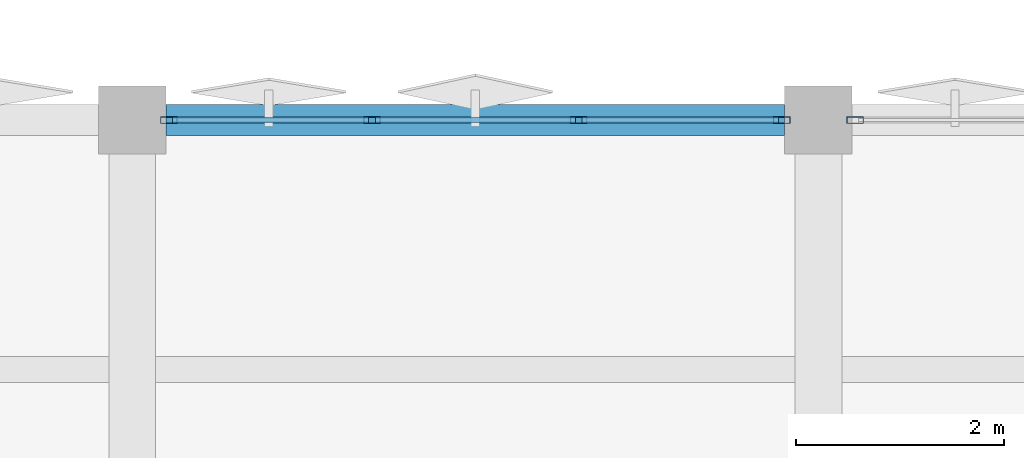
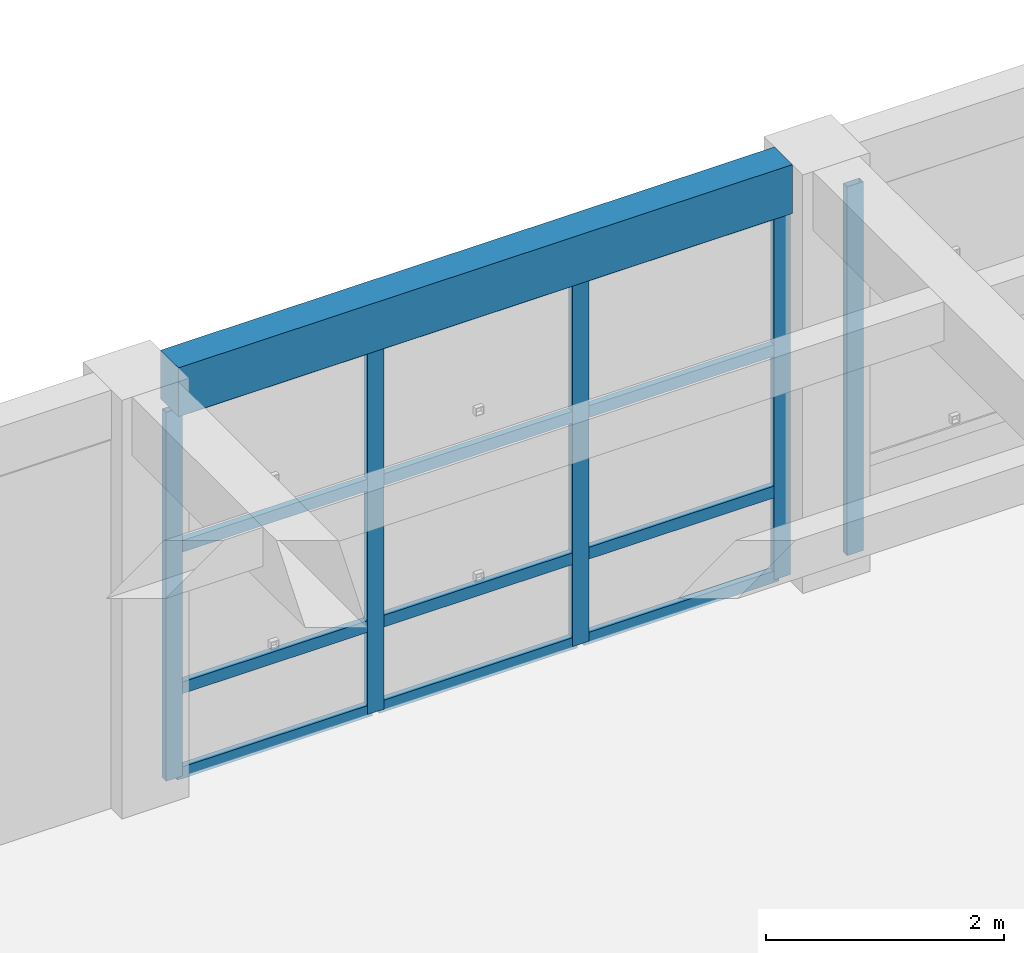
# One storey, part 19 of 48: 17 members, 1 beam, 2 elements without a shape of their own.
"""IFC4 building model written with IfcOpenShell, lengths in metres."""

from ifc_helpers import new_model, si_unit, direction, frame, origin, origin_2d, place, context, subcontext, project, spatial, rectangle, hollow_rectangle, extrude, material, layer, layer_set, material_profile, profile_set, type_object, element, aggregate, save


model = new_model("IFC4")

# Units and contexts
model_context = context("Model", 3, precision=1e-05, world=origin(), true_north=direction((0.0, 1.0)))
body_context = subcontext(model_context, "Body", "Model", "MODEL_VIEW")
ifc_project = project(units=[si_unit("LENGTHUNIT", "METRE"), si_unit("AREAUNIT", "SQUARE_METRE"), si_unit("VOLUMEUNIT", "CUBIC_METRE"), si_unit("PLANEANGLEUNIT", "RADIAN"), si_unit("MASSUNIT", "GRAM", prefix="KILO")], contexts=[model_context])

# Site, building, storey
site_placement = place(None, origin())
site = spatial("IfcSite", under=ifc_project, at=site_placement, CompositionType="ELEMENT")
building_placement = place(site_placement, origin())
building = spatial("IfcBuilding", under=site, at=building_placement, Name="Kharisveld Research Institute", CompositionType="ELEMENT")
storey_placement = place(building_placement, frame((0.0, 0.0, 14.10009765625)))
storey = spatial("IfcBuildingStorey", under=building, at=storey_placement, Name="L03", CompositionType="ELEMENT", Elevation=14.10009765625)

# Curtain wall, members
ifc_material_1 = material(Name="Thermally Broken Aluminium Curtain Wall", Category="aluminium")
ifc_layer_1 = layer(ifc_material_1, 0.159912109375)
ifc_layer_set_1 = layer_set([ifc_layer_1], Name="CW_SYS_05")
curtain_wall_type_1 = type_object("IfcCurtainWallType", Name="CW_SYS_05", PredefinedType="NOTDEFINED", material=ifc_layer_set_1)
curtain_wall_1_placement = place(storey_placement, origin())
curtain_wall_1 = element("IfcCurtainWall", 1, at=curtain_wall_1_placement, inside=storey, type_object=curtain_wall_type_1, Name="CW:V2:L03:N1", PredefinedType="NOTDEFINED")
ifc_material_2 = material(Name="Anodised Aluminium AW-6063-T6", Category="aluminium")
ifc_material_profile_1 = material_profile(ifc_material_2, hollow_rectangle(XDim=0.06494140625, YDim=0.159912109375, WallThickness=0.00390625, at=origin_2d()))
ifc_profile_set_1 = profile_set([ifc_material_profile_1], Name="Anodised Aluminium AW-6063-T6")
member_type_1 = type_object("IfcMemberType", Name="CW_MUL_160", PredefinedType="MULLION", material=ifc_profile_set_1)
member_1_placement = place(storey_placement, frame((121.552490234375, 60.800048828125, 0.0), z_axis=(0.0, 0.0, 1.0), x_axis=(0.0, 1.0, 0.0)))
member_1 = element("IfcMember", 2, at=member_1_placement, type_object=member_type_1, Name="CW-05 mullion 1", PredefinedType="MULLION", context=body_context, shape_type="SweptSolid", body=[
    extrude(hollow_rectangle(XDim=0.06494140625, YDim=0.159912109375, WallThickness=0.00390625, at=origin_2d()), origin(), (0.0, 0.0, 1.0), 3.77978515625),
])
member_2_placement = place(storey_placement, frame((123.506591796875, 60.800048828125, 0.0), z_axis=(0.0, 0.0, 1.0), x_axis=(0.0, 1.0, 0.0)))
member_2 = element("IfcMember", 3, at=member_2_placement, type_object=member_type_1, Name="CW-05 mullion 2", PredefinedType="MULLION", context=body_context, shape_type="SweptSolid", body=[
    extrude(hollow_rectangle(XDim=0.06494140625, YDim=0.159912109375, WallThickness=0.00390625, at=origin_2d()), origin(), (0.0, 0.0, 1.0), 3.77978515625),
])
member_3_placement = place(storey_placement, frame((125.493408203125, 60.800048828125, 0.0), z_axis=(0.0, 0.0, 1.0), x_axis=(0.0, 1.0, 0.0)))
member_3 = element("IfcMember", 4, at=member_3_placement, type_object=member_type_1, Name="CW-05 mullion 3", PredefinedType="MULLION", context=body_context, shape_type="SweptSolid", body=[
    extrude(hollow_rectangle(XDim=0.06494140625, YDim=0.159912109375, WallThickness=0.00390625, at=origin_2d()), origin(), (0.0, 0.0, 1.0), 3.77978515625),
])
member_4_placement = place(storey_placement, frame((127.447509765625, 60.800048828125, 0.0), z_axis=(0.0, 0.0, 1.0), x_axis=(0.0, 1.0, 0.0)))
member_4 = element("IfcMember", 5, at=member_4_placement, type_object=member_type_1, Name="CW-05 mullion 4", PredefinedType="MULLION", context=body_context, shape_type="SweptSolid", body=[
    extrude(hollow_rectangle(XDim=0.06494140625, YDim=0.159912109375, WallThickness=0.00390625, at=origin_2d()), origin(), (0.0, 0.0, 1.0), 3.77978515625),
])

# Curtain wall, member
ifc_material_3 = material(Name="Thermally Broken Aluminium Curtain Wall", Category="aluminium")
ifc_layer_2 = layer(ifc_material_3, 0.159912109375)
ifc_layer_set_2 = layer_set([ifc_layer_2], Name="CW_SYS_06")
curtain_wall_type_2 = type_object("IfcCurtainWallType", Name="CW_SYS_06", PredefinedType="NOTDEFINED", material=ifc_layer_set_2)
curtain_wall_2_placement = place(storey_placement, origin())
curtain_wall_2 = element("IfcCurtainWall", 6, at=curtain_wall_2_placement, inside=storey, type_object=curtain_wall_type_2, Name="CW:V2:L03:N2", PredefinedType="NOTDEFINED")
member_5_placement = place(storey_placement, frame((128.152587890625, 60.800048828125, 0.0), z_axis=(0.0, 0.0, 1.0), x_axis=(0.0, 1.0, 0.0)))
member_5 = element("IfcMember", 7, at=member_5_placement, type_object=member_type_1, Name="CW-06 mullion 1", PredefinedType="MULLION", context=body_context, shape_type="SweptSolid", body=[
    extrude(hollow_rectangle(XDim=0.06494140625, YDim=0.159912109375, WallThickness=0.00390625, at=origin_2d()), origin(), (0.0, 0.0, 1.0), 3.77978515625),
])
aggregate(curtain_wall_2, [member_5])

# Member
ifc_material_4 = material(Name="Anodised Aluminium AW-6063-T6", Category="aluminium")
ifc_material_profile_2 = material_profile(ifc_material_4, hollow_rectangle(XDim=0.06005859375, YDim=0.1201171875, WallThickness=0.00390625, at=origin_2d()))
ifc_profile_set_2 = profile_set([ifc_material_profile_2], Name="Anodised Aluminium AW-6063-T6")
member_type_2 = type_object("IfcMemberType", Name="CW_TRN_120", PredefinedType="USERDEFINED", material=ifc_profile_set_2)
member_6_placement = place(storey_placement, frame((121.5849609375, 60.800048828125, 0.02978515625), z_axis=(1.0, 0.0, 0.0), x_axis=(0.0, 1.0, 0.0)))
member_6 = element("IfcMember", 8, at=member_6_placement, type_object=member_type_2, Name="CW-05 transom 1.1", ObjectType="TRANSOM", PredefinedType="USERDEFINED", context=body_context, shape_type="SweptSolid", body=[
    extrude(hollow_rectangle(XDim=0.06005859375, YDim=0.1201171875, WallThickness=0.00390625, at=origin_2d()), origin(), (0.0, 0.0, 1.0), 1.88916015625),
])

member_7_placement = place(storey_placement, frame((121.5849609375, 60.800048828125, 0.89990234375), z_axis=(1.0, 0.0, 0.0), x_axis=(0.0, 1.0, 0.0)))
member_7 = element("IfcMember", 9, at=member_7_placement, type_object=member_type_2, Name="CW-05 transom 1.2", ObjectType="TRANSOM", PredefinedType="USERDEFINED", context=body_context, shape_type="SweptSolid", body=[
    extrude(hollow_rectangle(XDim=0.06005859375, YDim=0.1201171875, WallThickness=0.00390625, at=origin_2d()), origin(), (0.0, 0.0, 1.0), 1.88916015625),
])

member_8_placement = place(storey_placement, frame((121.5849609375, 60.800048828125, 2.349853515625), z_axis=(1.0, 0.0, 0.0), x_axis=(0.0, 1.0, 0.0)))
member_8 = element("IfcMember", 10, at=member_8_placement, type_object=member_type_2, Name="CW-05 transom 1.3", ObjectType="TRANSOM", PredefinedType="USERDEFINED", context=body_context, shape_type="SweptSolid", body=[
    extrude(hollow_rectangle(XDim=0.06005859375, YDim=0.1201171875, WallThickness=0.00390625, at=origin_2d()), origin(), (0.0, 0.0, 1.0), 1.88916015625),
])

member_9_placement = place(storey_placement, frame((121.5849609375, 60.800048828125, 3.75), z_axis=(1.0, 0.0, 0.0), x_axis=(0.0, 1.0, 0.0)))
member_9 = element("IfcMember", 11, at=member_9_placement, type_object=member_type_2, Name="CW-05 transom 1.4", ObjectType="TRANSOM", PredefinedType="USERDEFINED", context=body_context, shape_type="SweptSolid", body=[
    extrude(hollow_rectangle(XDim=0.06005859375, YDim=0.1201171875, WallThickness=0.00390625, at=origin_2d()), origin(), (0.0, 0.0, 1.0), 1.88916015625),
])

member_10_placement = place(storey_placement, frame((123.5390625, 60.800048828125, 0.02978515625), z_axis=(1.0, 0.0, 0.0), x_axis=(0.0, 1.0, 0.0)))
member_10 = element("IfcMember", 12, at=member_10_placement, type_object=member_type_2, Name="CW-05 transom 2.1", ObjectType="TRANSOM", PredefinedType="USERDEFINED", context=body_context, shape_type="SweptSolid", body=[
    extrude(hollow_rectangle(XDim=0.06005859375, YDim=0.1201171875, WallThickness=0.00390625, at=origin_2d()), origin(), (0.0, 0.0, 1.0), 1.921875),
])

member_11_placement = place(storey_placement, frame((123.5390625, 60.800048828125, 0.89990234375), z_axis=(1.0, 0.0, 0.0), x_axis=(0.0, 1.0, 0.0)))
member_11 = element("IfcMember", 13, at=member_11_placement, type_object=member_type_2, Name="CW-05 transom 2.2", ObjectType="TRANSOM", PredefinedType="USERDEFINED", context=body_context, shape_type="SweptSolid", body=[
    extrude(hollow_rectangle(XDim=0.06005859375, YDim=0.1201171875, WallThickness=0.00390625, at=origin_2d()), origin(), (0.0, 0.0, 1.0), 1.921875),
])

member_12_placement = place(storey_placement, frame((123.5390625, 60.800048828125, 2.349853515625), z_axis=(1.0, 0.0, 0.0), x_axis=(0.0, 1.0, 0.0)))
member_12 = element("IfcMember", 14, at=member_12_placement, type_object=member_type_2, Name="CW-05 transom 2.3", ObjectType="TRANSOM", PredefinedType="USERDEFINED", context=body_context, shape_type="SweptSolid", body=[
    extrude(hollow_rectangle(XDim=0.06005859375, YDim=0.1201171875, WallThickness=0.00390625, at=origin_2d()), origin(), (0.0, 0.0, 1.0), 1.921875),
])

member_13_placement = place(storey_placement, frame((123.5390625, 60.800048828125, 3.75), z_axis=(1.0, 0.0, 0.0), x_axis=(0.0, 1.0, 0.0)))
member_13 = element("IfcMember", 15, at=member_13_placement, type_object=member_type_2, Name="CW-05 transom 2.4", ObjectType="TRANSOM", PredefinedType="USERDEFINED", context=body_context, shape_type="SweptSolid", body=[
    extrude(hollow_rectangle(XDim=0.06005859375, YDim=0.1201171875, WallThickness=0.00390625, at=origin_2d()), origin(), (0.0, 0.0, 1.0), 1.921875),
])

member_14_placement = place(storey_placement, frame((125.52587890625, 60.800048828125, 0.02978515625), z_axis=(1.0, 0.0, 0.0), x_axis=(0.0, 1.0, 0.0)))
member_14 = element("IfcMember", 16, at=member_14_placement, type_object=member_type_2, Name="CW-05 transom 3.1", ObjectType="TRANSOM", PredefinedType="USERDEFINED", context=body_context, shape_type="SweptSolid", body=[
    extrude(hollow_rectangle(XDim=0.06005859375, YDim=0.1201171875, WallThickness=0.00390625, at=origin_2d()), origin(), (0.0, 0.0, 1.0), 1.88916015625),
])

member_15_placement = place(storey_placement, frame((125.52587890625, 60.800048828125, 0.89990234375), z_axis=(1.0, 0.0, 0.0), x_axis=(0.0, 1.0, 0.0)))
member_15 = element("IfcMember", 17, at=member_15_placement, type_object=member_type_2, Name="CW-05 transom 3.2", ObjectType="TRANSOM", PredefinedType="USERDEFINED", context=body_context, shape_type="SweptSolid", body=[
    extrude(hollow_rectangle(XDim=0.06005859375, YDim=0.1201171875, WallThickness=0.00390625, at=origin_2d()), origin(), (0.0, 0.0, 1.0), 1.88916015625),
])

member_16_placement = place(storey_placement, frame((125.52587890625, 60.800048828125, 2.349853515625), z_axis=(1.0, 0.0, 0.0), x_axis=(0.0, 1.0, 0.0)))
member_16 = element("IfcMember", 18, at=member_16_placement, type_object=member_type_2, Name="CW-05 transom 3.3", ObjectType="TRANSOM", PredefinedType="USERDEFINED", context=body_context, shape_type="SweptSolid", body=[
    extrude(hollow_rectangle(XDim=0.06005859375, YDim=0.1201171875, WallThickness=0.00390625, at=origin_2d()), origin(), (0.0, 0.0, 1.0), 1.88916015625),
])

member_17_placement = place(storey_placement, frame((125.52587890625, 60.800048828125, 3.75), z_axis=(1.0, 0.0, 0.0), x_axis=(0.0, 1.0, 0.0)))
member_17 = element("IfcMember", 19, at=member_17_placement, type_object=member_type_2, Name="CW-05 transom 3.4", ObjectType="TRANSOM", PredefinedType="USERDEFINED", context=body_context, shape_type="SweptSolid", body=[
    extrude(hollow_rectangle(XDim=0.06005859375, YDim=0.1201171875, WallThickness=0.00390625, at=origin_2d()), origin(), (0.0, 0.0, 1.0), 1.88916015625),
])

aggregate(curtain_wall_1, [member_1, member_2, member_3, member_4, member_6, member_7, member_8, member_9, member_10, member_11, member_12, member_13, member_14, member_15, member_16, member_17])

# Beam
ifc_material_5 = material(Name="Concrete C40/50", Category="concrete")
ifc_material_profile_3 = material_profile(ifc_material_5, rectangle(XDim=0.300048828125, YDim=0.5, at=origin_2d()))
ifc_profile_set_3 = profile_set([ifc_material_profile_3], Name="Concrete C40/50")
beam_type = type_object("IfcBeamType", Name="SP_RC_300x500", PredefinedType="SPANDREL", material=ifc_profile_set_3)
beam_placement = place(storey_placement, frame((121.52490234375, 60.800048828125, 4.039794921875), z_axis=(1.0, 0.0, 0.0), x_axis=(0.0, 1.0, 0.0)))
element("IfcBeam", 20, at=beam_placement, inside=storey, type_object=beam_type, Name="BM:V2:L03:U1_3", PredefinedType="SPANDREL", context=body_context, shape_type="SweptSolid", body=[
    extrude(rectangle(XDim=0.300048828125, YDim=0.5, at=origin_2d()), origin(), (0.0, 0.0, 1.0), 5.9501953125),
])

save(model, "model.ifc")
